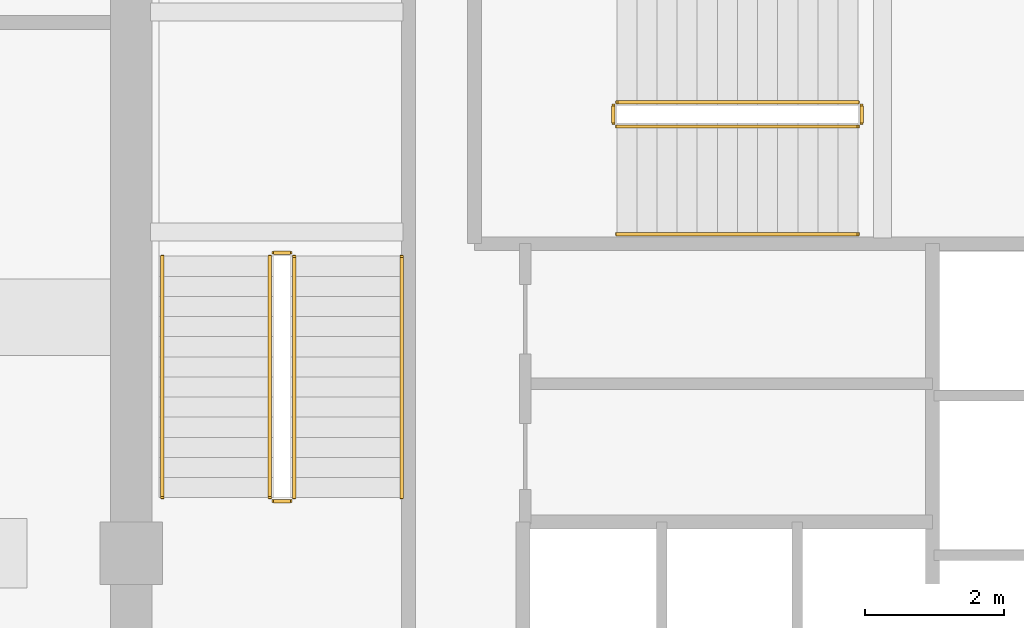
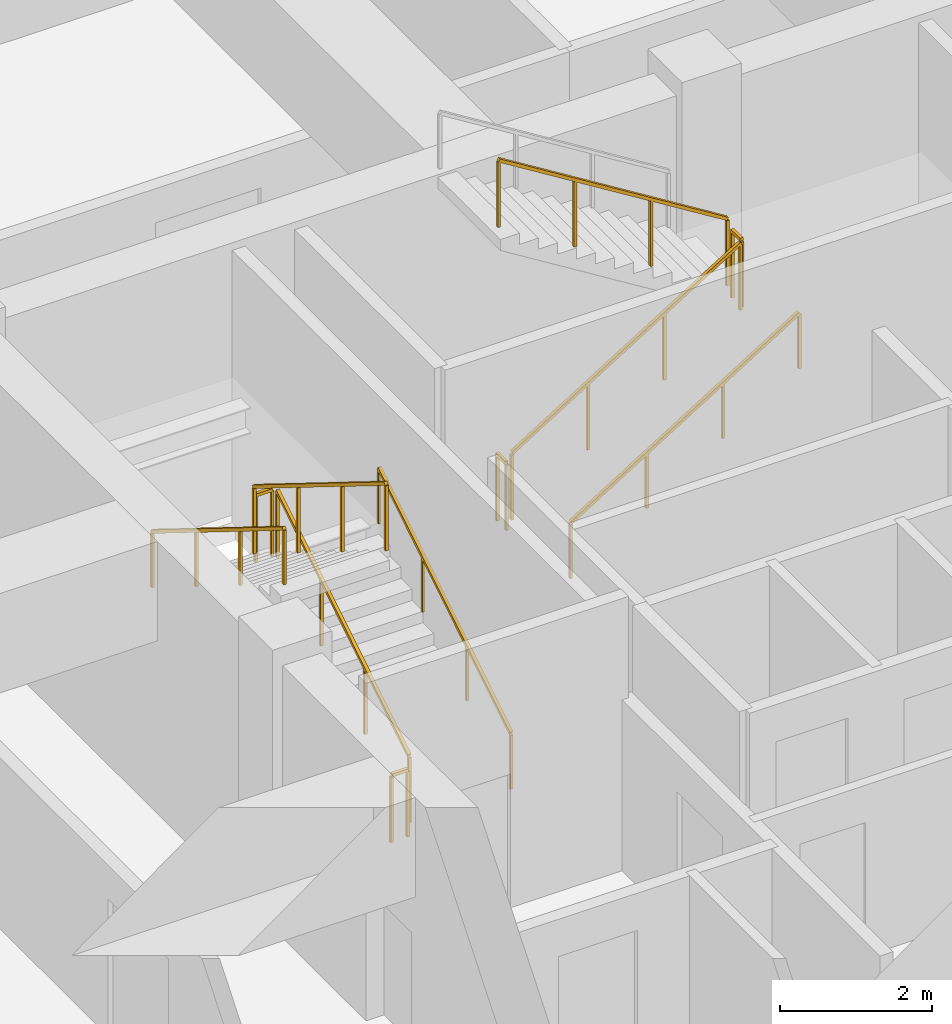
# One storey, part 7 of 9: 11 railings.
"""IFC4 building model written with IfcOpenShell, lengths in metres."""

from ifc_helpers import new_model, si_unit, derived_unit, direction, frame, origin, origin_2d, place, context, subcontext, project, spatial, rectangle, extrude, material, type_object, element, save


model = new_model("IFC4")

# Units and contexts
model_context = context("Model", 3, precision=1e-05, world=origin(), true_north=direction((0.0, 1.0)))
body_context = subcontext(model_context, "Body", "Model", "MODEL_VIEW")
ifc_project = project(units=[si_unit("LENGTHUNIT", "METRE"), si_unit("AREAUNIT", "SQUARE_METRE"), si_unit("VOLUMEUNIT", "CUBIC_METRE"), si_unit("PLANEANGLEUNIT", "RADIAN"), si_unit("MASSUNIT", "GRAM", prefix="KILO"), derived_unit("THERMALTRANSMITTANCEUNIT", [(si_unit("POWERUNIT", "WATT"), 1), (si_unit("LENGTHUNIT", "METRE"), -2), (si_unit("THERMODYNAMICTEMPERATUREUNIT", "KELVIN"), -1)])], contexts=[model_context])

# Site, building, storey
site_placement = place(None, origin())
site = spatial("IfcSite", under=ifc_project, at=site_placement, CompositionType="ELEMENT")
building_placement = place(site_placement, origin())
building = spatial("IfcBuilding", under=site, at=building_placement, Name="Koralith Skygarden Medical Center", CompositionType="ELEMENT")
storey_placement = place(building_placement, frame((0.0, 0.0, 232.3798828125)))
storey = spatial("IfcBuildingStorey", under=building, at=storey_placement, Name="L60", CompositionType="ELEMENT", Elevation=232.3798828125)

# Railings
ifc_material = material(Name="Steel ASTM A500 Grade C", Category="steel")
railing_type_1 = type_object("IfcRailingType", Name="Stair Flight Tubular Handrail 920", PredefinedType="HANDRAIL", material=ifc_material)
railing_1_placement = place(storey_placement, frame((29.699951171875, 26.699951171875, 0.18017578125)))
element("IfcRailing", 1, at=railing_1_placement, inside=storey, type_object=railing_type_1, Name="L60 ST1 stair handrail 1", PredefinedType="HANDRAIL", context=body_context, shape_type="SweptSolid", body=[
    extrude(rectangle(XDim=0.050048828125, YDim=0.050048828125, at=origin_2d()), frame((0.0, 0.001708984375, 0.89599609375), z_axis=(0.0, 0.849648454892, 0.527349507537), x_axis=(-1.0, 0.0, 0.0)), (0.0, 0.0, 1.0), 4.091796875),
    extrude(rectangle(XDim=0.0419921875, YDim=0.0419921875, at=origin_2d()), origin(), (0.0, 0.0, 1.0), 0.867919921875),
    extrude(rectangle(XDim=0.0419921875, YDim=0.0419921875, at=origin_2d()), frame((0.0, 1.159912109375, 0.719970703125)), (0.0, 0.0, 1.0), 0.867919921875),
    extrude(rectangle(XDim=0.0419921875, YDim=0.0419921875, at=origin_2d()), frame((0.0, 2.320068359375, 1.43994140625)), (0.0, 0.0, 1.0), 0.867919921875),
    extrude(rectangle(XDim=0.0419921875, YDim=0.0419921875, at=origin_2d()), frame((0.0, 3.47998046875, 2.159912109375)), (0.0, 0.0, 1.0), 0.867919921875),
])
railing_2_placement = place(storey_placement, frame((26.25, 30.179931640625, 2.52001953125)))
element("IfcRailing", 2, at=railing_2_placement, inside=storey, type_object=railing_type_1, Name="L60 ST1 stair handrail 2", PredefinedType="HANDRAIL", context=body_context, shape_type="SweptSolid", body=[
    extrude(rectangle(XDim=0.050048828125, YDim=0.050048828125, at=origin_2d()), frame((0.0, -0.001708984375, 0.89599609375), z_axis=(0.0, -0.849621746706, 0.527392536471), x_axis=(1.0, 0.0, 0.0)), (0.0, 0.0, 1.0), 4.091796875),
    extrude(rectangle(XDim=0.0419921875, YDim=0.0419921875, at=origin_2d()), origin(), (0.0, 0.0, 1.0), 0.867919921875),
    extrude(rectangle(XDim=0.0419921875, YDim=0.0419921875, at=origin_2d()), frame((0.0, -1.159912109375, 0.719970703125)), (0.0, 0.0, 1.0), 0.867919921875),
    extrude(rectangle(XDim=0.0419921875, YDim=0.0419921875, at=origin_2d()), frame((0.0, -2.320068359375, 1.440185546875)), (0.0, 0.0, 1.0), 0.867919921875),
    extrude(rectangle(XDim=0.0419921875, YDim=0.0419921875, at=origin_2d()), frame((0.0, -3.47998046875, 2.16015625)), (0.0, 0.0, 1.0), 0.867919921875),
])
railing_3_placement = place(storey_placement, frame((32.800048828125, 30.5, 0.18017578125)))
element("IfcRailing", 3, at=railing_3_placement, inside=storey, type_object=railing_type_1, Name="L60 ST3 stair handrail 1", PredefinedType="HANDRAIL", context=body_context, shape_type="SweptSolid", body=[
    extrude(rectangle(XDim=0.050048828125, YDim=0.050048828125, at=origin_2d()), frame((0.001708984375, 0.0, 0.89599609375), z_axis=(0.849648454892, 0.0, 0.527349507537), x_axis=(0.0, 1.0, 0.0)), (0.0, 0.0, 1.0), 4.091796875),
    extrude(rectangle(XDim=0.0419921875, YDim=0.0419921875, at=origin_2d()), origin(), (0.0, 0.0, 1.0), 0.867919921875),
    extrude(rectangle(XDim=0.0419921875, YDim=0.0419921875, at=origin_2d()), frame((1.159912109375, 0.0, 0.719970703125)), (0.0, 0.0, 1.0), 0.867919921875),
    extrude(rectangle(XDim=0.0419921875, YDim=0.0419921875, at=origin_2d()), frame((2.320068359375, 0.0, 1.43994140625)), (0.0, 0.0, 1.0), 0.867919921875),
    extrude(rectangle(XDim=0.0419921875, YDim=0.0419921875, at=origin_2d()), frame((3.47998046875, 0.0, 2.159912109375)), (0.0, 0.0, 1.0), 0.867919921875),
])
railing_type_2 = type_object("IfcRailingType", Name="Stair Well Safety Guardrail 1100", PredefinedType="GUARDRAIL", material=ifc_material)
railing_4_placement = place(storey_placement, frame((28.14990234375, 26.699951171875, 0.18017578125)))
element("IfcRailing", 4, at=railing_4_placement, inside=storey, type_object=railing_type_2, Name="L60 ST1 stair guard 1", PredefinedType="GUARDRAIL", context=body_context, shape_type="SweptSolid", body=[
    extrude(rectangle(XDim=0.050048828125, YDim=0.050048828125, at=origin_2d()), frame((0.0, 0.001708984375, 1.076171875), z_axis=(0.0, 0.849648454892, 0.527349507537), x_axis=(-1.0, 0.0, 0.0)), (0.0, 0.0, 1.0), 4.091796875),
    extrude(rectangle(XDim=0.0419921875, YDim=0.0419921875, at=origin_2d()), origin(), (0.0, 0.0, 1.0), 1.048095703125),
    extrude(rectangle(XDim=0.0419921875, YDim=0.0419921875, at=origin_2d()), frame((0.0, 1.159912109375, 0.719970703125)), (0.0, 0.0, 1.0), 1.048095703125),
    extrude(rectangle(XDim=0.0419921875, YDim=0.0419921875, at=origin_2d()), frame((0.0, 2.320068359375, 1.43994140625)), (0.0, 0.0, 1.0), 1.048095703125),
    extrude(rectangle(XDim=0.0419921875, YDim=0.0419921875, at=origin_2d()), frame((0.0, 3.47998046875, 2.159912109375)), (0.0, 0.0, 1.0), 1.048095703125),
])
railing_5_placement = place(storey_placement, frame((28.10009765625, 30.22998046875, 2.340087890625)))
element("IfcRailing", 5, at=railing_5_placement, inside=storey, type_object=railing_type_2, Name="L60 ST1 stair guard 2", PredefinedType="GUARDRAIL", context=body_context, shape_type="SweptSolid", body=[
    extrude(rectangle(XDim=0.050048828125, YDim=0.050048828125, at=origin_2d()), frame((-0.001953125, 0.0, 1.0751953125), z_axis=(-1.0, 0.0, 0.0), x_axis=(0.0, -1.0, 0.0)), (0.0, 0.0, 1.0), 0.24609375),
    extrude(rectangle(XDim=0.0419921875, YDim=0.0419921875, at=origin_2d()), origin(), (0.0, 0.0, 1.0), 1.048095703125),
    extrude(rectangle(XDim=0.0419921875, YDim=0.0419921875, at=origin_2d()), frame((-0.25, 0.0, 0.0)), (0.0, 0.0, 1.0), 1.048095703125),
])
railing_6_placement = place(storey_placement, frame((27.800048828125, 30.179931640625, 2.52001953125)))
element("IfcRailing", 6, at=railing_6_placement, inside=storey, type_object=railing_type_2, Name="L60 ST1 stair guard 3", PredefinedType="GUARDRAIL", context=body_context, shape_type="SweptSolid", body=[
    extrude(rectangle(XDim=0.050048828125, YDim=0.050048828125, at=origin_2d()), frame((0.0, -0.001708984375, 1.076171875), z_axis=(0.0, -0.849621746706, 0.527392536471), x_axis=(1.0, 0.0, 0.0)), (0.0, 0.0, 1.0), 4.091796875),
    extrude(rectangle(XDim=0.0419921875, YDim=0.0419921875, at=origin_2d()), origin(), (0.0, 0.0, 1.0), 1.048095703125),
    extrude(rectangle(XDim=0.0419921875, YDim=0.0419921875, at=origin_2d()), frame((0.0, -1.159912109375, 0.719970703125)), (0.0, 0.0, 1.0), 1.048095703125),
    extrude(rectangle(XDim=0.0419921875, YDim=0.0419921875, at=origin_2d()), frame((0.0, -2.320068359375, 1.440185546875)), (0.0, 0.0, 1.0), 1.048095703125),
    extrude(rectangle(XDim=0.0419921875, YDim=0.0419921875, at=origin_2d()), frame((0.0, -3.47998046875, 2.16015625)), (0.0, 0.0, 1.0), 1.048095703125),
])
railing_7_placement = place(storey_placement, frame((28.10009765625, 26.64990234375, 0.0)))
element("IfcRailing", 7, at=railing_7_placement, inside=storey, type_object=railing_type_2, Name="L60 ST1 stair guard 4", PredefinedType="GUARDRAIL", context=body_context, shape_type="SweptSolid", body=[
    extrude(rectangle(XDim=0.050048828125, YDim=0.050048828125, at=origin_2d()), frame((-0.001953125, 0.0, 1.0751953125), z_axis=(-1.0, 0.0, 0.0), x_axis=(0.0, -1.0, 0.0)), (0.0, 0.0, 1.0), 0.24609375),
    extrude(rectangle(XDim=0.0419921875, YDim=0.0419921875, at=origin_2d()), origin(), (0.0, 0.0, 1.0), 1.048095703125),
    extrude(rectangle(XDim=0.0419921875, YDim=0.0419921875, at=origin_2d()), frame((-0.25, 0.0, 0.0)), (0.0, 0.0, 1.0), 1.048095703125),
])
railing_8_placement = place(storey_placement, frame((32.800048828125, 32.050048828125, 0.18017578125)))
element("IfcRailing", 8, at=railing_8_placement, inside=storey, type_object=railing_type_2, Name="L60 ST3 stair guard 1", PredefinedType="GUARDRAIL", context=body_context, shape_type="SweptSolid", body=[
    extrude(rectangle(XDim=0.050048828125, YDim=0.050048828125, at=origin_2d()), frame((0.001708984375, 0.0, 1.076171875), z_axis=(0.849648454892, 0.0, 0.527349507537), x_axis=(0.0, 1.0, 0.0)), (0.0, 0.0, 1.0), 4.091796875),
    extrude(rectangle(XDim=0.0419921875, YDim=0.0419921875, at=origin_2d()), origin(), (0.0, 0.0, 1.0), 1.048095703125),
    extrude(rectangle(XDim=0.0419921875, YDim=0.0419921875, at=origin_2d()), frame((1.159912109375, 0.0, 0.719970703125)), (0.0, 0.0, 1.0), 1.048095703125),
    extrude(rectangle(XDim=0.0419921875, YDim=0.0419921875, at=origin_2d()), frame((2.320068359375, 0.0, 1.43994140625)), (0.0, 0.0, 1.0), 1.048095703125),
    extrude(rectangle(XDim=0.0419921875, YDim=0.0419921875, at=origin_2d()), frame((3.47998046875, 0.0, 2.159912109375)), (0.0, 0.0, 1.0), 1.048095703125),
])
railing_9_placement = place(storey_placement, frame((36.330078125, 32.10009765625, 2.340087890625)))
element("IfcRailing", 9, at=railing_9_placement, inside=storey, type_object=railing_type_2, Name="L60 ST3 stair guard 2", PredefinedType="GUARDRAIL", context=body_context, shape_type="SweptSolid", body=[
    extrude(rectangle(XDim=0.050048828125, YDim=0.050048828125, at=origin_2d()), frame((0.0, 0.001953125, 1.0751953125), z_axis=(0.0, 1.0, 0.0), x_axis=(-1.0, 0.0, 0.0)), (0.0, 0.0, 1.0), 0.24609375),
    extrude(rectangle(XDim=0.0419921875, YDim=0.0419921875, at=origin_2d()), origin(), (0.0, 0.0, 1.0), 1.048095703125),
    extrude(rectangle(XDim=0.0419921875, YDim=0.0419921875, at=origin_2d()), frame((0.0, 0.25, 0.0)), (0.0, 0.0, 1.0), 1.048095703125),
])
railing_10_placement = place(storey_placement, frame((36.280029296875, 32.39990234375, 2.52001953125)))
element("IfcRailing", 10, at=railing_10_placement, inside=storey, type_object=railing_type_2, Name="L60 ST3 stair guard 3", PredefinedType="GUARDRAIL", context=body_context, shape_type="SweptSolid", body=[
    extrude(rectangle(XDim=0.050048828125, YDim=0.050048828125, at=origin_2d()), frame((-0.001708984375, 0.0, 1.076171875), z_axis=(-0.849621746706, 0.0, 0.527392536471), x_axis=(0.0, -1.0, 0.0)), (0.0, 0.0, 1.0), 4.091796875),
    extrude(rectangle(XDim=0.0419921875, YDim=0.0419921875, at=origin_2d()), origin(), (0.0, 0.0, 1.0), 1.048095703125),
    extrude(rectangle(XDim=0.0419921875, YDim=0.0419921875, at=origin_2d()), frame((-1.159912109375, 0.0, 0.719970703125)), (0.0, 0.0, 1.0), 1.048095703125),
    extrude(rectangle(XDim=0.0419921875, YDim=0.0419921875, at=origin_2d()), frame((-2.320068359375, 0.0, 1.440185546875)), (0.0, 0.0, 1.0), 1.048095703125),
    extrude(rectangle(XDim=0.0419921875, YDim=0.0419921875, at=origin_2d()), frame((-3.47998046875, 0.0, 2.16015625)), (0.0, 0.0, 1.0), 1.048095703125),
])
railing_11_placement = place(storey_placement, frame((32.75, 32.10009765625, 0.0)))
element("IfcRailing", 11, at=railing_11_placement, inside=storey, type_object=railing_type_2, Name="L60 ST3 stair guard 4", PredefinedType="GUARDRAIL", context=body_context, shape_type="SweptSolid", body=[
    extrude(rectangle(XDim=0.050048828125, YDim=0.050048828125, at=origin_2d()), frame((0.0, 0.001953125, 1.0751953125), z_axis=(0.0, 1.0, 0.0), x_axis=(-1.0, 0.0, 0.0)), (0.0, 0.0, 1.0), 0.24609375),
    extrude(rectangle(XDim=0.0419921875, YDim=0.0419921875, at=origin_2d()), origin(), (0.0, 0.0, 1.0), 1.048095703125),
    extrude(rectangle(XDim=0.0419921875, YDim=0.0419921875, at=origin_2d()), frame((0.0, 0.25, 0.0)), (0.0, 0.0, 1.0), 1.048095703125),
])

save(model, "model.ifc")
